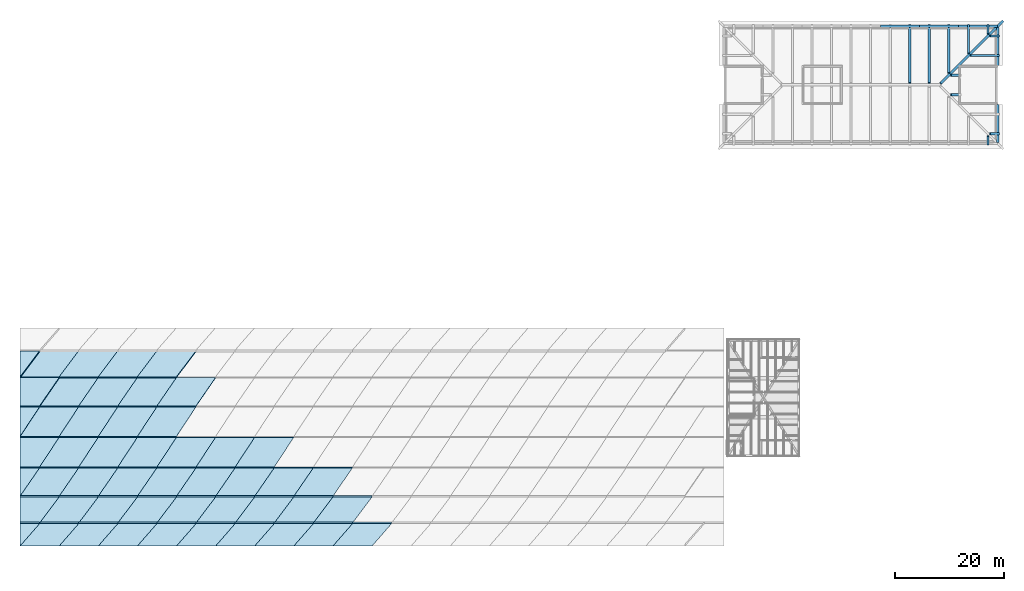
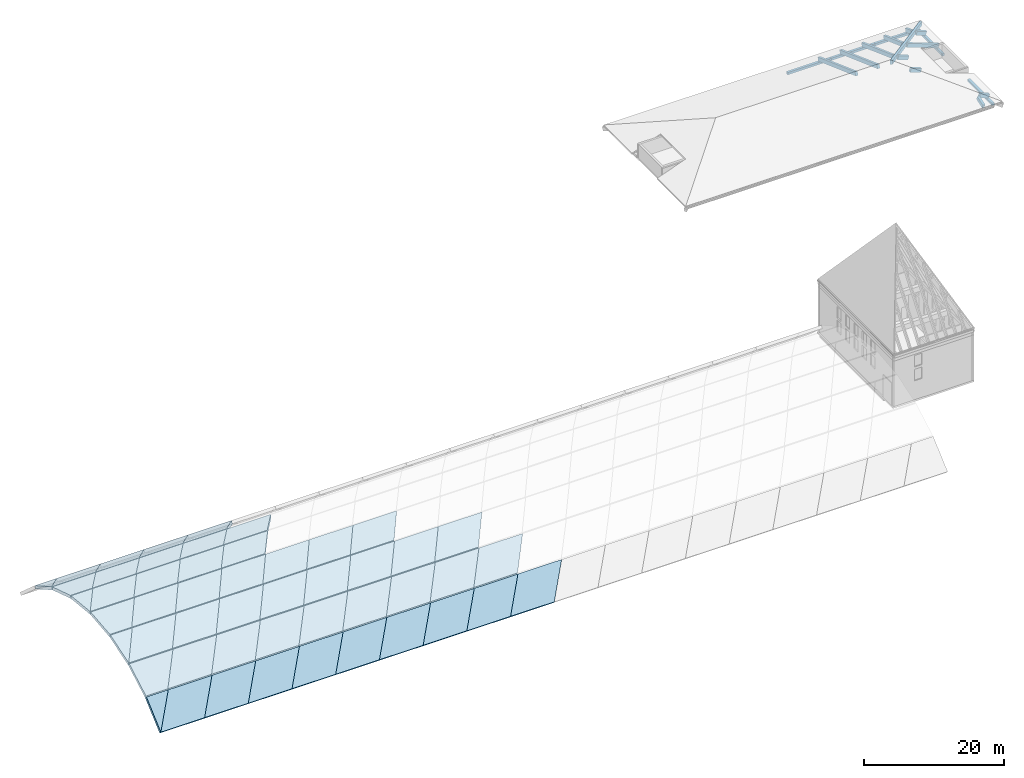
# One storey, part 2 of 8: 50 slabs, 17 beams.
"""IFC4 building model written with IfcOpenShell, lengths in metres."""

import ifcopenshell
import ifcopenshell.guid

model = None  # the IFC model being written
_history = None  # IfcOwnerHistory: only IFC2X3 demands one
_inside = {}  # id of a spatial element -> (the spatial element, [elements in it])
_under = {}  # id of a project, library or spatial element -> (it, [spatial elements below it])
_declared = {}  # id of a project -> (the project, [libraries it declares])
_typed = {}  # id of a type object -> (the type object, [elements of that type])
_made_of = {}  # id of a material, layer set ... -> (it, [elements and type objects made of it])


def new_model(schema):
    """Start an empty IFC model of exactly this schema.

    Asked for "IFC4X3", IfcOpenShell would pick the latest addendum, in which some entities
    have other attributes; the version numbers below select the first issue.
    IFC2X3 requires an IfcOwnerHistory on every rooted entity: one is made here for all.
    """
    global model, _history
    if schema == "IFC4X3":
        model = ifcopenshell.file(schema_version=(4, 3, 0, 0))
    else:
        model = ifcopenshell.file(schema=schema)
    _inside.clear()
    _under.clear()
    _declared.clear()
    _typed.clear()
    _made_of.clear()
    _history = None
    if model.schema == "IFC2X3":
        org = make("IfcOrganization", Name="unknown")
        user = make(
            "IfcPersonAndOrganization",
            ThePerson=make("IfcPerson", FamilyName="unknown"),
            TheOrganization=org,
        )
        app = make(
            "IfcApplication",
            ApplicationDeveloper=org,
            Version="unknown",
            ApplicationFullName="unknown",
            ApplicationIdentifier="unknown",
        )
        _history = make(
            "IfcOwnerHistory",
            OwningUser=user,
            OwningApplication=app,
            ChangeAction="ADDED",
            CreationDate=0,
        )
    return model


def make(cls, **values):
    """One entity of the class cls with the attributes given. An attribute that is None is left unset."""
    return model.create_entity(
        cls, **{name: value for name, value in values.items() if value is not None}
    )


def rooted(cls, **values):
    """An entity with a GlobalId (a new one), such as an element, a storey or a relation."""
    return make(cls, GlobalId=ifcopenshell.guid.new(), OwnerHistory=_history, **values)


def si_unit(unit_type, name, prefix=None):
    """IfcSIUnit, for example si_unit("LENGTHUNIT", "METRE", prefix="MILLI")."""
    return make("IfcSIUnit", UnitType=unit_type, Prefix=prefix, Name=name)


def assignment(units):
    """IfcUnitAssignment: the units of a project."""
    return None if units is None else make("IfcUnitAssignment", Units=units)


def point(xyz):
    """IfcCartesianPoint."""
    return None if xyz is None else make("IfcCartesianPoint", Coordinates=xyz)


def direction(xyz):
    """IfcDirection."""
    return None if xyz is None else make("IfcDirection", DirectionRatios=xyz)


def frame(location, z_axis=None, x_axis=None):
    """IfcAxis2Placement3D, a coordinate frame: its origin and axes. An axis left out is left unset."""
    return make(
        "IfcAxis2Placement3D",
        Location=point(location),
        Axis=direction(z_axis),
        RefDirection=direction(x_axis),
    )


def frame_2d(location, x_axis=None):
    """IfcAxis2Placement2D, a coordinate frame in the plane: its origin and x axis."""
    return make(
        "IfcAxis2Placement2D", Location=point(location), RefDirection=direction(x_axis)
    )


def origin():
    """The frame at (0, 0, 0) with its axes left unset."""
    return frame((0.0, 0.0, 0.0))


def origin_2d():
    """The frame at (0, 0) in the plane with its x axis left unset."""
    return frame_2d((0.0, 0.0))


def place(relative_to, where):
    """IfcLocalPlacement: puts the frame where relative to a parent placement (None: the world)."""
    return make(
        "IfcLocalPlacement", PlacementRelTo=relative_to, RelativePlacement=where
    )


def context(
    kind, dimensions, precision=None, world=None, true_north=None, identifier=None
):
    """IfcGeometricRepresentationContext, for example the 3D "Model" context."""
    return make(
        "IfcGeometricRepresentationContext",
        ContextIdentifier=identifier,
        ContextType=kind,
        CoordinateSpaceDimension=dimensions,
        Precision=precision,
        WorldCoordinateSystem=world,
        TrueNorth=true_north,
    )


def subcontext(parent, identifier, kind, view, scale=None):
    """IfcGeometricRepresentationSubContext, for example "Body" below "Model"."""
    return make(
        "IfcGeometricRepresentationSubContext",
        ContextIdentifier=identifier,
        ContextType=kind,
        ParentContext=parent,
        TargetScale=scale,
        TargetView=view,
    )


def project(units=None, contexts=None):
    """IfcProject with its units and contexts."""
    return rooted(
        "IfcProject",
        Name="project",
        RepresentationContexts=contexts,
        UnitsInContext=assignment(units),
    )


def spatial(cls, under=None, at=None, **own):
    """A site, building, storey or space (cls), placed at a placement, below another one or the project."""
    s = rooted(cls, ObjectPlacement=at, **own)
    if under is not None:
        _under.setdefault(under.id(), (under, []))[1].append(s)
    return s


def polyline(points):
    """IfcPolyline through the points."""
    return make("IfcPolyline", Points=[point(p) for p in points])


def profile(cls, at=None, kind="AREA", **sizes):
    """A parametric profile (cls). Its sizes go by their IFC names, for example OverallWidth=200.0."""
    return make(cls, ProfileType=kind, Position=at, **sizes)


def rectangle(**sizes):
    """IfcRectangleProfileDef."""
    return profile("IfcRectangleProfileDef", **sizes)


def outline(outer, holes=None, kind="AREA"):
    """IfcArbitraryClosedProfileDef: a profile drawn as a closed curve; with holes, ...WithVoids."""
    if holes is None:
        return make("IfcArbitraryClosedProfileDef", ProfileType=kind, OuterCurve=outer)
    return make(
        "IfcArbitraryProfileDefWithVoids",
        ProfileType=kind,
        OuterCurve=outer,
        InnerCurves=holes,
    )


def extrude(swept, where, along, depth):
    """IfcExtrudedAreaSolid: the profile swept, set in the frame where, extruded along a direction by depth."""
    return make(
        "IfcExtrudedAreaSolid",
        SweptArea=swept,
        Position=where,
        ExtrudedDirection=direction(along),
        Depth=depth,
    )


def shape(context_of_items, identifier, shape_type, items):
    """IfcShapeRepresentation: the items that make up one representation, for example the "Body"."""
    return make(
        "IfcShapeRepresentation",
        ContextOfItems=context_of_items,
        RepresentationIdentifier=identifier,
        RepresentationType=shape_type,
        Items=items,
    )


def material(Name=None, Category=None):
    """IfcMaterial."""
    return make("IfcMaterial", Name=Name, Category=Category)


def layer(
    of_material, thickness, ventilated=None, Name=None, Category=None, Priority=None
):
    """IfcMaterialLayer: one layer of a wall or slab, of a material (None: an air gap)."""
    return make(
        "IfcMaterialLayer",
        Material=of_material,
        LayerThickness=thickness,
        IsVentilated=ventilated,
        Name=Name,
        Category=Category,
        Priority=Priority,
    )


def layer_set(layers, Name=None):
    """IfcMaterialLayerSet."""
    return make("IfcMaterialLayerSet", MaterialLayers=layers, LayerSetName=Name)


def material_profile(
    of_material, cross_section, Name=None, Category=None, Priority=None
):
    """IfcMaterialProfile: a cross section and its material."""
    return make(
        "IfcMaterialProfile",
        Name=Name,
        Material=of_material,
        Profile=cross_section,
        Priority=Priority,
        Category=Category,
    )


def profile_set(profiles, Name=None, composite=None):
    """IfcMaterialProfileSet."""
    return make(
        "IfcMaterialProfileSet",
        Name=Name,
        MaterialProfiles=profiles,
        CompositeProfile=composite,
    )


def made_of(thing, what):
    """Note that an element or type object is made of a material, layer set ...; save() writes the relation."""
    if what is not None:
        _made_of.setdefault(what.id(), (what, []))[1].append(thing)
    return thing


def type_object(cls, material=None, **own):
    """A type object (cls), such as IfcWallType, which elements share."""
    return made_of(rooted(cls, **own), material)


def element(
    cls,
    number,
    at=None,
    inside=None,
    cuts=None,
    type_object=None,
    material=None,
    context=None,
    identifier="Body",
    shape_type=None,
    held_by="IfcProductDefinitionShape",
    body=None,
    shapes=None,
    **own,
):
    """One element of the class cls, such as IfcWall. Its Tag is "e" and its number.

    at: its placement. inside: the storey or other place that contains it. cuts: it is an
    opening in that element (IfcRelVoidsElement). A single representation is given by context,
    identifier, shape_type and body (its items); several are given by shapes. held_by: the class
    of the entity that holds the representations. save() writes the other relations.
    """
    e = rooted(cls, Tag="e%d" % number, ObjectPlacement=at, **own)
    if body is not None:
        shapes = [shape(context, identifier, shape_type, body)]
    if shapes is not None:
        e.Representation = make(held_by, Representations=shapes)
    if inside is not None:
        _inside.setdefault(inside.id(), (inside, []))[1].append(e)
    if cuts is not None:
        rooted(
            "IfcRelVoidsElement", RelatingBuildingElement=cuts, RelatedOpeningElement=e
        )
    if type_object is not None:
        _typed.setdefault(type_object.id(), (type_object, []))[1].append(e)
    return made_of(e, material)


def aggregate(whole, parts):
    """IfcRelAggregates: a whole, such as a stair, and the parts it consists of."""
    return rooted("IfcRelAggregates", RelatingObject=whole, RelatedObjects=parts)


def save(model, path):
    """Write the relations noted so far, then the file.

    IfcRelAggregates (storeys below a building ...), IfcRelContainedInSpatialStructure (elements
    in a storey), IfcRelDefinesByType, IfcRelAssociatesMaterial and IfcRelDeclares: one each for
    every whole, place, type object, material and project.
    """
    for whole, parts in _under.values():
        aggregate(whole, parts)
    for where, things in _inside.values():
        rooted(
            "IfcRelContainedInSpatialStructure",
            RelatedElements=things,
            RelatingStructure=where,
        )
    for kind, things in _typed.values():
        rooted("IfcRelDefinesByType", RelatedObjects=things, RelatingType=kind)
    for what, things in _made_of.values():
        rooted("IfcRelAssociatesMaterial", RelatedObjects=things, RelatingMaterial=what)
    for by, libraries in _declared.values():
        rooted("IfcRelDeclares", RelatingContext=by, RelatedDefinitions=libraries)
    model.write(path)


model = new_model("IFC4")

# Units and contexts
model_context = context("Model", 3, precision=1e-05, world=origin(), true_north=direction((0.0, 1.0)))
body_context = subcontext(model_context, "Body", "Model", "MODEL_VIEW")
ifc_project = project(units=[si_unit("LENGTHUNIT", "METRE"), si_unit("AREAUNIT", "SQUARE_METRE"), si_unit("VOLUMEUNIT", "CUBIC_METRE"), si_unit("PLANEANGLEUNIT", "RADIAN"), si_unit("MASSUNIT", "GRAM", prefix="KILO")], contexts=[model_context])

# Site, building, storey
site_placement = place(None, origin())
site = spatial("IfcSite", under=ifc_project, at=site_placement, CompositionType="ELEMENT")
building_placement = place(site_placement, origin())
building = spatial("IfcBuilding", under=site, at=building_placement, Name="Vermilion Court Aquatics Centre", CompositionType="ELEMENT")
storey_placement = place(building_placement, frame((0.0, 0.0, 23.300048828125)))
storey = spatial("IfcBuildingStorey", under=building, at=storey_placement, Name="ROOF", CompositionType="ELEMENT", Elevation=23.300048828125)

# Beams
ifc_material_1 = material(Name="Concrete 5000 psi", Category="concrete")
ifc_material_profile_1 = material_profile(ifc_material_1, rectangle(XDim=0.39990234375, YDim=0.39990234375, at=origin_2d()), Name="RC 400x400")
ifc_profile_set_1 = profile_set([ifc_material_profile_1], Name="Concrete 5000 psi")
beam_type_1 = type_object("IfcBeamType", Name="Roof eaves ring beam RC 400x400", PredefinedType="BEAM", material=ifc_profile_set_1)
for number, where, z_axis, x_axis, name in (
    (1, (172.800048828125, 115.199951171875, 0.199951171875), (1.0, 0.0, 0.0), (0.0, 1.0, 0.0), "Roof eaves ring beam"),
    (2, (180.0, 115.199951171875, 0.199951171875), (1.0, 0.0, 0.0), (0.0, 1.0, 0.0), "Roof eaves ring beam"),
    (3, (187.199951171875, 115.199951171875, 0.199951171875), (1.0, 0.0, 0.0), (0.0, 1.0, 0.0), "Roof eaves ring beam"),
):
    element("IfcBeam", number, at=place(storey_placement, frame(where, z_axis=z_axis, x_axis=x_axis)), inside=storey, type_object=beam_type_1, Name=name, PredefinedType="BEAM", context=body_context, shape_type="SweptSolid", body=[
        extrude(rectangle(XDim=0.39990234375, YDim=0.39990234375, at=origin_2d()), origin(), (0.0, 0.0, 1.0), 7.199951171875),
    ])
for number, where, z_axis, x_axis, name in (
    (4, (194.39990234375, 93.800048828125, 0.199951171875), (0.0, 1.0, 0.0), (-1.0, 0.0, 0.0), "Roof eaves ring beam"),
    (5, (194.39990234375, 108.0, 0.199951171875), (0.0, 1.0, 0.0), (-1.0, 0.0, 0.0), "Roof eaves ring beam"),
):
    element("IfcBeam", number, at=place(storey_placement, frame(where, z_axis=z_axis, x_axis=x_axis)), inside=storey, type_object=beam_type_1, Name=name, PredefinedType="BEAM", context=body_context, shape_type="SweptSolid", body=[
        extrude(rectangle(XDim=0.39990234375, YDim=0.39990234375, at=origin_2d()), origin(), (0.0, 0.0, 1.0), 7.0),
    ])
ifc_material_2 = material(Name="Concrete 5000 psi", Category="concrete")
ifc_material_profile_2 = material_profile(ifc_material_2, rectangle(XDim=0.39990234375, YDim=0.64990234375, at=origin_2d()), Name="RC 400x650")
ifc_profile_set_2 = profile_set([ifc_material_profile_2], Name="Concrete 5000 psi")
beam_type_2 = type_object("IfcBeamType", Name="Roof north rafter RC 400x650", PredefinedType="BEAM", material=ifc_profile_set_2)
for number, where, z_axis, x_axis, name in (
    (6, (178.199951171875, 115.381103515625, 0.705322265625), (0.0, -0.939691444338, 0.342023375571), (1.0, 0.0, 0.0), "Roof north rafter"),
    (7, (181.800048828125, 115.381103515625, 0.705322265625), (0.0, -0.939691444338, 0.342023375571), (1.0, 0.0, 0.0), "Roof north rafter"),
):
    element("IfcBeam", number, at=place(storey_placement, frame(where, z_axis=z_axis, x_axis=x_axis)), inside=storey, type_object=beam_type_2, Name=name, PredefinedType="BEAM", context=body_context, shape_type="SweptSolid", body=[
        extrude(rectangle(XDim=0.39990234375, YDim=0.64990234375, at=origin_2d()), origin(), (0.0, 0.0, 1.0), 11.328125),
    ])
beam_1_placement = place(storey_placement, frame((185.39990234375, 115.381103515625, 0.705322265625), z_axis=(0.0, -0.939692760679, 0.342019758971), x_axis=(1.0, 0.0, 0.0)))
element("IfcBeam", 8, at=beam_1_placement, inside=storey, type_object=beam_type_2, Name="Roof north rafter", PredefinedType="BEAM", context=body_context, shape_type="SweptSolid", body=[
    extrude(rectangle(XDim=0.39990234375, YDim=0.64990234375, at=origin_2d()), origin(), (0.0, 0.0, 1.0), 9.35107421875),
])
beam_2_placement = place(storey_placement, frame((189.0, 115.381103515625, 0.705322265625), z_axis=(0.0, -0.939691364138, 0.342023595918), x_axis=(1.0, 0.0, 0.0)))
element("IfcBeam", 9, at=beam_2_placement, inside=storey, type_object=beam_type_2, Name="Roof north rafter", PredefinedType="BEAM", context=body_context, shape_type="SweptSolid", body=[
    extrude(rectangle(XDim=0.39990234375, YDim=0.64990234375, at=origin_2d()), origin(), (0.0, 0.0, 1.0), 5.52001953125),
])
beam_3_placement = place(storey_placement, frame((192.60009765625, 93.418701171875, 0.705322265625), z_axis=(0.0, 0.939717444246, 0.341951933726), x_axis=(-1.0, 0.0, 0.0)))
element("IfcBeam", 10, at=beam_3_placement, inside=storey, type_object=beam_type_2, Name="Roof north rafter", PredefinedType="BEAM", context=body_context, shape_type="SweptSolid", body=[
    extrude(rectangle(XDim=0.39990234375, YDim=0.64990234375, at=origin_2d()), origin(), (0.0, 0.0, 1.0), 1.689208984375),
])
beam_4_placement = place(storey_placement, frame((192.60009765625, 115.381103515625, 0.705322265625), z_axis=(0.0, -0.939700541046, 0.341998381805), x_axis=(1.0, 0.0, 0.0)))
element("IfcBeam", 11, at=beam_4_placement, inside=storey, type_object=beam_type_2, Name="Roof north rafter", PredefinedType="BEAM", context=body_context, shape_type="SweptSolid", body=[
    extrude(rectangle(XDim=0.39990234375, YDim=0.64990234375, at=origin_2d()), origin(), (0.0, 0.0, 1.0), 1.68896484375),
])
beam_5_placement = place(storey_placement, frame((194.581298828125, 95.39990234375, 0.705322265625), z_axis=(-0.939717444246, 0.0, 0.341951933726), x_axis=(0.0, -1.0, 0.0)))
element("IfcBeam", 12, at=beam_5_placement, inside=storey, type_object=beam_type_2, Name="Roof north rafter", PredefinedType="BEAM", context=body_context, shape_type="SweptSolid", body=[
    extrude(rectangle(XDim=0.39990234375, YDim=0.64990234375, at=origin_2d()), origin(), (0.0, 0.0, 1.0), 1.689208984375),
])
for number, where, z_axis, x_axis, name in (
    (13, (187.51123046875, 102.60009765625, 3.278564453125), (-0.939699774957, 0.0, 0.342000486763), (0.0, -1.0, 0.0), "Roof north rafter"),
    (14, (187.51123046875, 106.199951171875, 3.278564453125), (-0.939699774957, 0.0, 0.342000486763), (0.0, -1.0, 0.0), "Roof north rafter"),
):
    element("IfcBeam", number, at=place(storey_placement, frame(where, z_axis=z_axis, x_axis=x_axis)), inside=storey, type_object=beam_type_2, Name=name, PredefinedType="BEAM", context=body_context, shape_type="SweptSolid", body=[
        extrude(rectangle(XDim=0.39990234375, YDim=0.64990234375, at=origin_2d()), origin(), (0.0, 0.0, 1.0), 1.827392578125),
    ])
beam_6_placement = place(storey_placement, frame((194.581298828125, 109.800048828125, 0.705322265625), z_axis=(-0.939696537741, 0.0, 0.342009381388), x_axis=(0.0, -1.0, 0.0)))
element("IfcBeam", 15, at=beam_6_placement, inside=storey, type_object=beam_type_2, Name="Roof north rafter", PredefinedType="BEAM", context=body_context, shape_type="SweptSolid", body=[
    extrude(rectangle(XDim=0.39990234375, YDim=0.64990234375, at=origin_2d()), origin(), (0.0, 0.0, 1.0), 5.52001953125),
])
beam_7_placement = place(storey_placement, frame((194.581298828125, 113.39990234375, 0.705322265625), z_axis=(-0.939717444246, 0.0, 0.341951933726), x_axis=(0.0, -1.0, 0.0)))
element("IfcBeam", 16, at=beam_7_placement, inside=storey, type_object=beam_type_2, Name="Roof north rafter", PredefinedType="BEAM", context=body_context, shape_type="SweptSolid", body=[
    extrude(rectangle(XDim=0.39990234375, YDim=0.64990234375, at=origin_2d()), origin(), (0.0, 0.0, 1.0), 1.689208984375),
])
beam_8_placement = place(storey_placement, frame((195.357421875, 116.1572265625, 0.41259765625), z_axis=(-0.684798728981, -0.684784159415, 0.24924156114), x_axis=(0.707099258974, -0.707114303319, 0.0)))
element("IfcBeam", 17, at=beam_8_placement, inside=storey, type_object=beam_type_2, Name="Roof north hip rafter", PredefinedType="BEAM", context=body_context, shape_type="SweptSolid", body=[
    extrude(rectangle(XDim=0.39990234375, YDim=0.64990234375, at=origin_2d()), origin(), (0.0, 0.0, 1.0), 16.7568359375),
])

# Slabs
ifc_material_3 = material(Name="Zinc standing seam sheet", Category="metal")
ifc_layer = layer(ifc_material_3, 0.5)
ifc_layer_set = layer_set([ifc_layer], Name="Roof insulated cover panel")
slab_type = type_object("IfcSlabType", Name="Roof insulated cover panel", PredefinedType="ROOF", material=ifc_layer_set)
slab_1_placement = place(storey_placement, frame((14.39990234375, 19.50439453125, -1.0869140625), z_axis=(0.0, -0.66200348449, 0.749500758187), x_axis=(0.547891107597, 0.626994604686, 0.553798790095)))
element("IfcSlab", 18, at=slab_1_placement, inside=storey, type_object=slab_type, Name="Roof panel RP-02-00", PredefinedType="ROOF", context=body_context, shape_type="SweptSolid", body=[
    extrude(outline(polyline([(0.0, 0.0), (6.570826951432823, -4.440892098500626e-16), (4.59836545909196, 3.0116604715288218), (0.0, 0.0)])), origin(), (0.0, 0.0, -1.0), 0.5),
])
slab_2_placement = place(storey_placement, frame((14.39990234375, 19.50439453125, -1.0869140625), z_axis=(0.0, -0.66200348449, 0.749500758187), x_axis=(1.0, 0.0, 0.0)))
element("IfcSlab", 19, at=slab_2_placement, inside=storey, type_object=slab_type, Name="Roof panel RP-02-01", PredefinedType="ROOF", context=body_context, shape_type="SweptSolid", body=[
    extrude(outline(polyline([(0.0, 0.0), (7.2001953125, 0.0), (10.800048828125, 5.496823054377795), (3.60009765625, 5.496823054377795), (0.0, 0.0)])), origin(), (0.0, 0.0, -1.0), 0.5),
])
slab_3_placement = place(storey_placement, frame((21.60009765625, 19.50439453125, -1.0869140625), z_axis=(0.0, -0.66200348449, 0.749500758187), x_axis=(1.0, 0.0, 0.0)))
element("IfcSlab", 20, at=slab_3_placement, inside=storey, type_object=slab_type, Name="Roof panel RP-02-02", PredefinedType="ROOF", context=body_context, shape_type="SweptSolid", body=[
    extrude(outline(polyline([(0.0, 0.0), (7.199951171875, 0.0), (10.7998046875, 5.496823054377794), (3.599853515625, 5.496823054377794), (0.0, 0.0)])), origin(), (0.0, 0.0, -1.0), 0.5),
])
slab_4_placement = place(storey_placement, frame((28.800048828125, 19.50439453125, -1.0869140625), z_axis=(0.0, -0.66200348449, 0.749500758187), x_axis=(1.0, 0.0, 0.0)))
element("IfcSlab", 21, at=slab_4_placement, inside=storey, type_object=slab_type, Name="Roof panel RP-02-03", PredefinedType="ROOF", context=body_context, shape_type="SweptSolid", body=[
    extrude(outline(polyline([(0.0, 0.0), (7.199951171875, 0.0), (10.800048828125, 5.496823054377795), (3.599853515625, 5.496823054377795), (0.0, 0.0)])), origin(), (0.0, 0.0, -1.0), 0.5),
])
for number, where, z_axis, x_axis, name in (
    (22, (36.0, 19.50439453125, -1.0869140625), (0.0, -0.66200348449, 0.749500758187), (1.0, 0.0, 0.0), "Roof panel RP-02-04"),
    (23, (43.199951171875, 19.50439453125, -1.0869140625), (0.0, -0.66200348449, 0.749500758187), (1.0, 0.0, 0.0), "Roof panel RP-02-05"),
):
    element("IfcSlab", number, at=place(storey_placement, frame(where, z_axis=z_axis, x_axis=x_axis)), inside=storey, type_object=slab_type, Name=name, PredefinedType="ROOF", context=body_context, shape_type="SweptSolid", body=[
        extrude(outline(polyline([(0.0, 0.0), (7.199951171875, 0.0), (10.800048828125, 5.496823054377794), (3.60009765625, 5.496823054377794), (0.0, 0.0)])), origin(), (0.0, 0.0, -1.0), 0.5),
    ])
slab_5_placement = place(storey_placement, frame((50.39990234375, 19.50439453125, -1.0869140625), z_axis=(0.0, -0.66200348449, 0.749500758187), x_axis=(1.0, 0.0, 0.0)))
element("IfcSlab", 24, at=slab_5_placement, inside=storey, type_object=slab_type, Name="Roof panel RP-02-06", PredefinedType="ROOF", context=body_context, shape_type="SweptSolid", body=[
    extrude(outline(polyline([(0.0, 0.0), (7.2001953125, 0.0), (10.800048828125, 5.496823054377795), (3.60009765625, 5.496823054377795), (0.0, 0.0)])), origin(), (0.0, 0.0, -1.0), 0.5),
])
slab_6_placement = place(storey_placement, frame((57.60009765625, 19.50439453125, -1.0869140625), z_axis=(0.0, -0.66200348449, 0.749500758187), x_axis=(1.0, 0.0, 0.0)))
element("IfcSlab", 25, at=slab_6_placement, inside=storey, type_object=slab_type, Name="Roof panel RP-02-07", PredefinedType="ROOF", context=body_context, shape_type="SweptSolid", body=[
    extrude(outline(polyline([(0.0, 0.0), (7.199951171875, 0.0), (10.7998046875, 5.496823054377794), (3.599853515625, 5.496823054377794), (0.0, 0.0)])), origin(), (0.0, 0.0, -1.0), 0.5),
])
slab_7_placement = place(storey_placement, frame((64.800048828125, 19.50439453125, -1.0869140625), z_axis=(0.0, -0.66200348449, 0.749500758187), x_axis=(1.0, 0.0, 0.0)))
element("IfcSlab", 26, at=slab_7_placement, inside=storey, type_object=slab_type, Name="Roof panel RP-02-08", PredefinedType="ROOF", context=body_context, shape_type="SweptSolid", body=[
    extrude(outline(polyline([(0.0, 0.0), (7.199951171875, 0.0), (10.800048828125, 5.496823054377795), (3.599853515625, 5.496823054377795), (0.0, 0.0)])), origin(), (0.0, 0.0, -1.0), 0.5),
])
slab_8_placement = place(storey_placement, frame((72.0, 19.50439453125, -1.0869140625), z_axis=(0.0, -0.66200348449, 0.749500758187), x_axis=(1.0, 0.0, 0.0)))
element("IfcSlab", 27, at=slab_8_placement, inside=storey, type_object=slab_type, Name="Roof panel RP-02-09", PredefinedType="ROOF", context=body_context, shape_type="SweptSolid", body=[
    extrude(outline(polyline([(0.0, 0.0), (7.199951171875, 0.0), (10.800048828125, 5.496823054377794), (3.60009765625, 5.496823054377794), (0.0, 0.0)])), origin(), (0.0, 0.0, -1.0), 0.5),
])
slab_9_placement = place(storey_placement, frame((14.39990234375, 23.750244140625, 2.641845703125), z_axis=(0.0, -0.494047556018, 0.869434881054), x_axis=(1.0, 0.0, 0.0)))
element("IfcSlab", 28, at=slab_9_placement, inside=storey, type_object=slab_type, Name="Roof panel RP-03-00", PredefinedType="ROOF", context=body_context, shape_type="SweptSolid", body=[
    extrude(outline(polyline([(0.0, 0.0), (3.60009765625, 0.0), (7.2001953125, 5.4975769438396265), (0.0, 5.4975769438396265), (0.0, 0.0)])), origin(), (0.0, 0.0, -1.0), 0.5),
])
for number, where, z_axis, x_axis, name in (
    (29, (18.0, 23.750244140625, 2.641845703125), (0.0, -0.494047556018, 0.869434881054), (1.0, 0.0, 0.0), "Roof panel RP-03-01"),
    (30, (25.199951171875, 23.750244140625, 2.641845703125), (0.0, -0.494047556018, 0.869434881054), (1.0, 0.0, 0.0), "Roof panel RP-03-02"),
):
    element("IfcSlab", number, at=place(storey_placement, frame(where, z_axis=z_axis, x_axis=x_axis)), inside=storey, type_object=slab_type, Name=name, PredefinedType="ROOF", context=body_context, shape_type="SweptSolid", body=[
        extrude(outline(polyline([(0.0, 0.0), (7.199951171875, 0.0), (10.800048828125, 5.4975769438396265), (3.60009765625, 5.4975769438396265), (0.0, 0.0)])), origin(), (0.0, 0.0, -1.0), 0.5),
    ])
slab_10_placement = place(storey_placement, frame((32.39990234375, 23.750244140625, 2.641845703125), z_axis=(0.0, -0.494047556018, 0.869434881054), x_axis=(1.0, 0.0, 0.0)))
element("IfcSlab", 31, at=slab_10_placement, inside=storey, type_object=slab_type, Name="Roof panel RP-03-03", PredefinedType="ROOF", context=body_context, shape_type="SweptSolid", body=[
    extrude(outline(polyline([(0.0, 0.0), (7.2001953125, 0.0), (10.800048828125, 5.4975769438396265), (3.60009765625, 5.4975769438396265), (0.0, 0.0)])), origin(), (0.0, 0.0, -1.0), 0.5),
])
slab_11_placement = place(storey_placement, frame((39.60009765625, 23.750244140625, 2.641845703125), z_axis=(0.0, -0.494047556018, 0.869434881054), x_axis=(1.0, 0.0, 0.0)))
element("IfcSlab", 32, at=slab_11_placement, inside=storey, type_object=slab_type, Name="Roof panel RP-03-04", PredefinedType="ROOF", context=body_context, shape_type="SweptSolid", body=[
    extrude(outline(polyline([(0.0, 0.0), (7.199951171875, 0.0), (10.7998046875, 5.4975769438396265), (3.599853515625, 5.4975769438396265), (0.0, 0.0)])), origin(), (0.0, 0.0, -1.0), 0.5),
])
slab_12_placement = place(storey_placement, frame((46.800048828125, 23.750244140625, 2.641845703125), z_axis=(0.0, -0.494047556018, 0.869434881054), x_axis=(1.0, 0.0, 0.0)))
element("IfcSlab", 33, at=slab_12_placement, inside=storey, type_object=slab_type, Name="Roof panel RP-03-05", PredefinedType="ROOF", context=body_context, shape_type="SweptSolid", body=[
    extrude(outline(polyline([(0.0, 0.0), (7.199951171875, 0.0), (10.800048828125, 5.4975769438396265), (3.599853515625, 5.4975769438396265), (0.0, 0.0)])), origin(), (0.0, 0.0, -1.0), 0.5),
])
for number, where, z_axis, x_axis, name in (
    (34, (54.0, 23.750244140625, 2.641845703125), (0.0, -0.494047556018, 0.869434881054), (1.0, 0.0, 0.0), "Roof panel RP-03-06"),
    (35, (61.199951171875, 23.750244140625, 2.641845703125), (0.0, -0.494047556018, 0.869434881054), (1.0, 0.0, 0.0), "Roof panel RP-03-07"),
):
    element("IfcSlab", number, at=place(storey_placement, frame(where, z_axis=z_axis, x_axis=x_axis)), inside=storey, type_object=slab_type, Name=name, PredefinedType="ROOF", context=body_context, shape_type="SweptSolid", body=[
        extrude(outline(polyline([(0.0, 0.0), (7.199951171875, 0.0), (10.800048828125, 5.4975769438396265), (3.60009765625, 5.4975769438396265), (0.0, 0.0)])), origin(), (0.0, 0.0, -1.0), 0.5),
    ])
slab_13_placement = place(storey_placement, frame((68.39990234375, 23.750244140625, 2.641845703125), z_axis=(0.0, -0.494047556018, 0.869434881054), x_axis=(1.0, 0.0, 0.0)))
element("IfcSlab", 36, at=slab_13_placement, inside=storey, type_object=slab_type, Name="Roof panel RP-03-08", PredefinedType="ROOF", context=body_context, shape_type="SweptSolid", body=[
    extrude(outline(polyline([(0.0, 0.0), (7.2001953125, 0.0), (10.800048828125, 5.4975769438396265), (3.60009765625, 5.4975769438396265), (0.0, 0.0)])), origin(), (0.0, 0.0, -1.0), 0.5),
])
slab_14_placement = place(storey_placement, frame((14.39990234375, 28.671630859375, 5.419921875), z_axis=(0.0, -0.305016066417, 0.952347205187), x_axis=(0.548250451032, 0.796461492066, 0.255089267905)))
element("IfcSlab", 37, at=slab_14_placement, inside=storey, type_object=slab_type, Name="Roof panel RP-04-00", PredefinedType="ROOF", context=body_context, shape_type="SweptSolid", body=[
    extrude(outline(polyline([(0.0, 0.0), (6.566520190682898, -5.551115123125783e-16), (4.592765026886032, 3.0108127952302106), (0.0, 0.0)])), origin(), (0.0, 0.0, -1.0), 0.5),
])
slab_15_placement = place(storey_placement, frame((14.39990234375, 28.671630859375, 5.419921875), z_axis=(0.0, -0.305016066417, 0.952347205187), x_axis=(1.0, 0.0, 0.0)))
element("IfcSlab", 38, at=slab_15_placement, inside=storey, type_object=slab_type, Name="Roof panel RP-04-01", PredefinedType="ROOF", context=body_context, shape_type="SweptSolid", body=[
    extrude(outline(polyline([(0.0, 0.0), (7.2001953125, 0.0), (10.800048828125, 5.491674087207781), (3.60009765625, 5.491674087207781), (0.0, 0.0)])), origin(), (0.0, 0.0, -1.0), 0.5),
])
slab_16_placement = place(storey_placement, frame((21.60009765625, 28.671630859375, 5.419921875), z_axis=(0.0, -0.305016066417, 0.952347205187), x_axis=(1.0, 0.0, 0.0)))
element("IfcSlab", 39, at=slab_16_placement, inside=storey, type_object=slab_type, Name="Roof panel RP-04-02", PredefinedType="ROOF", context=body_context, shape_type="SweptSolid", body=[
    extrude(outline(polyline([(0.0, 0.0), (7.199951171875, 0.0), (10.7998046875, 5.49167408720778), (3.599853515625, 5.49167408720778), (0.0, 0.0)])), origin(), (0.0, 0.0, -1.0), 0.5),
])
slab_17_placement = place(storey_placement, frame((28.800048828125, 28.671630859375, 5.419921875), z_axis=(0.0, -0.305016066417, 0.952347205187), x_axis=(1.0, 0.0, 0.0)))
element("IfcSlab", 40, at=slab_17_placement, inside=storey, type_object=slab_type, Name="Roof panel RP-04-03", PredefinedType="ROOF", context=body_context, shape_type="SweptSolid", body=[
    extrude(outline(polyline([(0.0, 0.0), (7.199951171875, 0.0), (10.800048828125, 5.491674087207781), (3.599853515625, 5.491674087207781), (0.0, 0.0)])), origin(), (0.0, 0.0, -1.0), 0.5),
])
for number, where, z_axis, x_axis, name in (
    (41, (36.0, 28.671630859375, 5.419921875), (0.0, -0.305016066417, 0.952347205187), (1.0, 0.0, 0.0), "Roof panel RP-04-04"),
    (42, (43.199951171875, 28.671630859375, 5.419921875), (0.0, -0.305016066417, 0.952347205187), (1.0, 0.0, 0.0), "Roof panel RP-04-05"),
):
    element("IfcSlab", number, at=place(storey_placement, frame(where, z_axis=z_axis, x_axis=x_axis)), inside=storey, type_object=slab_type, Name=name, PredefinedType="ROOF", context=body_context, shape_type="SweptSolid", body=[
        extrude(outline(polyline([(0.0, 0.0), (7.199951171875, 0.0), (10.800048828125, 5.49167408720778), (3.60009765625, 5.49167408720778), (0.0, 0.0)])), origin(), (0.0, 0.0, -1.0), 0.5),
    ])
slab_18_placement = place(storey_placement, frame((50.39990234375, 28.671630859375, 5.419921875), z_axis=(0.0, -0.305016066417, 0.952347205187), x_axis=(1.0, 0.0, 0.0)))
element("IfcSlab", 43, at=slab_18_placement, inside=storey, type_object=slab_type, Name="Roof panel RP-04-06", PredefinedType="ROOF", context=body_context, shape_type="SweptSolid", body=[
    extrude(outline(polyline([(0.0, 0.0), (7.2001953125, 0.0), (10.800048828125, 5.491674087207781), (3.60009765625, 5.491674087207781), (0.0, 0.0)])), origin(), (0.0, 0.0, -1.0), 0.5),
])
slab_19_placement = place(storey_placement, frame((57.60009765625, 28.671630859375, 5.419921875), z_axis=(0.0, -0.305016066417, 0.952347205187), x_axis=(1.0, 0.0, 0.0)))
element("IfcSlab", 44, at=slab_19_placement, inside=storey, type_object=slab_type, Name="Roof panel RP-04-07", PredefinedType="ROOF", context=body_context, shape_type="SweptSolid", body=[
    extrude(outline(polyline([(0.0, 0.0), (7.199951171875, 0.0), (10.7998046875, 5.49167408720778), (3.599853515625, 5.49167408720778), (0.0, 0.0)])), origin(), (0.0, 0.0, -1.0), 0.5),
])
slab_20_placement = place(storey_placement, frame((64.800048828125, 28.671630859375, 5.419921875), z_axis=(0.0, -0.305016066417, 0.952347205187), x_axis=(1.0, 0.0, 0.0)))
element("IfcSlab", 45, at=slab_20_placement, inside=storey, type_object=slab_type, Name="Roof panel RP-04-08", PredefinedType="ROOF", context=body_context, shape_type="SweptSolid", body=[
    extrude(outline(polyline([(0.0, 0.0), (7.199951171875, 0.0), (10.800048828125, 5.491674087207781), (3.599853515625, 5.491674087207781), (0.0, 0.0)])), origin(), (0.0, 0.0, -1.0), 0.5),
])
slab_21_placement = place(storey_placement, frame((14.39990234375, 34.052734375, 7.126708984375), z_axis=(0.0, -0.103261140612, 0.994654280059), x_axis=(1.0, 0.0, 0.0)))
element("IfcSlab", 46, at=slab_21_placement, inside=storey, type_object=slab_type, Name="Roof panel RP-05-00", PredefinedType="ROOF", context=body_context, shape_type="SweptSolid", body=[
    extrude(outline(polyline([(0.0, 0.0), (3.60009765625, 0.0), (7.2001953125, 5.499368788521336), (0.0, 5.499368788521336), (0.0, 0.0)])), origin(), (0.0, 0.0, -1.0), 0.5),
])
for number, where, z_axis, x_axis, name in (
    (47, (18.0, 34.052734375, 7.126708984375), (0.0, -0.103261140612, 0.994654280059), (1.0, 0.0, 0.0), "Roof panel RP-05-01"),
    (48, (25.199951171875, 34.052734375, 7.126708984375), (0.0, -0.103261140612, 0.994654280059), (1.0, 0.0, 0.0), "Roof panel RP-05-02"),
):
    element("IfcSlab", number, at=place(storey_placement, frame(where, z_axis=z_axis, x_axis=x_axis)), inside=storey, type_object=slab_type, Name=name, PredefinedType="ROOF", context=body_context, shape_type="SweptSolid", body=[
        extrude(outline(polyline([(0.0, 0.0), (7.199951171875, 0.0), (10.800048828125, 5.499368788521336), (3.60009765625, 5.499368788521336), (0.0, 0.0)])), origin(), (0.0, 0.0, -1.0), 0.5),
    ])
slab_22_placement = place(storey_placement, frame((32.39990234375, 34.052734375, 7.126708984375), z_axis=(0.0, -0.103261140612, 0.994654280059), x_axis=(1.0, 0.0, 0.0)))
element("IfcSlab", 49, at=slab_22_placement, inside=storey, type_object=slab_type, Name="Roof panel RP-05-03", PredefinedType="ROOF", context=body_context, shape_type="SweptSolid", body=[
    extrude(outline(polyline([(0.0, 0.0), (7.2001953125, 0.0), (10.800048828125, 5.499368788521336), (3.60009765625, 5.499368788521336), (0.0, 0.0)])), origin(), (0.0, 0.0, -1.0), 0.5),
])
slab_23_placement = place(storey_placement, frame((39.60009765625, 34.052734375, 7.126708984375), z_axis=(0.0, -0.103261140612, 0.994654280059), x_axis=(1.0, 0.0, 0.0)))
element("IfcSlab", 50, at=slab_23_placement, inside=storey, type_object=slab_type, Name="Roof panel RP-05-04", PredefinedType="ROOF", context=body_context, shape_type="SweptSolid", body=[
    extrude(outline(polyline([(0.0, 0.0), (7.199951171875, 0.0), (10.7998046875, 5.499368788521336), (3.599853515625, 5.499368788521336), (0.0, 0.0)])), origin(), (0.0, 0.0, -1.0), 0.5),
])
slab_24_placement = place(storey_placement, frame((46.800048828125, 34.052734375, 7.126708984375), z_axis=(0.0, -0.103261140612, 0.994654280059), x_axis=(1.0, 0.0, 0.0)))
element("IfcSlab", 51, at=slab_24_placement, inside=storey, type_object=slab_type, Name="Roof panel RP-05-05", PredefinedType="ROOF", context=body_context, shape_type="SweptSolid", body=[
    extrude(outline(polyline([(0.0, 0.0), (7.199951171875, 0.0), (10.800048828125, 5.499368788521336), (3.599853515625, 5.499368788521336), (0.0, 0.0)])), origin(), (0.0, 0.0, -1.0), 0.5),
])
slab_25_placement = place(storey_placement, frame((54.0, 34.052734375, 7.126708984375), z_axis=(0.0, -0.103261140612, 0.994654280059), x_axis=(1.0, 0.0, 0.0)))
element("IfcSlab", 52, at=slab_25_placement, inside=storey, type_object=slab_type, Name="Roof panel RP-05-06", PredefinedType="ROOF", context=body_context, shape_type="SweptSolid", body=[
    extrude(outline(polyline([(0.0, 0.0), (7.199951171875, 0.0), (10.800048828125, 5.499368788521336), (3.60009765625, 5.499368788521336), (0.0, 0.0)])), origin(), (0.0, 0.0, -1.0), 0.5),
])
slab_26_placement = place(storey_placement, frame((14.39990234375, 39.67724609375, 7.694580078125), z_axis=(0.0, 0.103261140612, 0.994654280059), x_axis=(0.547713578955, 0.832193322697, -0.08639507559)))
element("IfcSlab", 53, at=slab_26_placement, inside=storey, type_object=slab_type, Name="Roof panel RP-06-00", PredefinedType="ROOF", context=body_context, shape_type="SweptSolid", body=[
    extrude(outline(polyline([(0.0, 0.0), (6.572956732453012, 1.3183898417423734e-16), (4.601134360559832, 3.012078961155949), (0.0, 0.0)])), origin(), (0.0, 0.0, -1.0), 0.5),
])
slab_27_placement = place(storey_placement, frame((14.39990234375, 39.67724609375, 7.694580078125), z_axis=(0.0, 0.103261140612, 0.994654280059), x_axis=(1.0, 0.0, 0.0)))
element("IfcSlab", 54, at=slab_27_placement, inside=storey, type_object=slab_type, Name="Roof panel RP-06-01", PredefinedType="ROOF", context=body_context, shape_type="SweptSolid", body=[
    extrude(outline(polyline([(0.0, 0.0), (7.2001953125, 0.0), (10.800048828125, 5.499368788521336), (3.60009765625, 5.499368788521336), (0.0, 0.0)])), origin(), (0.0, 0.0, -1.0), 0.5),
])
slab_28_placement = place(storey_placement, frame((21.60009765625, 39.67724609375, 7.694580078125), z_axis=(0.0, 0.103261140612, 0.994654280059), x_axis=(1.0, 0.0, 0.0)))
element("IfcSlab", 55, at=slab_28_placement, inside=storey, type_object=slab_type, Name="Roof panel RP-06-02", PredefinedType="ROOF", context=body_context, shape_type="SweptSolid", body=[
    extrude(outline(polyline([(0.0, 0.0), (7.199951171875, 0.0), (10.7998046875, 5.499368788521336), (3.599853515625, 5.499368788521336), (0.0, 0.0)])), origin(), (0.0, 0.0, -1.0), 0.5),
])
slab_29_placement = place(storey_placement, frame((28.800048828125, 39.67724609375, 7.694580078125), z_axis=(0.0, 0.103261140612, 0.994654280059), x_axis=(1.0, 0.0, 0.0)))
element("IfcSlab", 56, at=slab_29_placement, inside=storey, type_object=slab_type, Name="Roof panel RP-06-03", PredefinedType="ROOF", context=body_context, shape_type="SweptSolid", body=[
    extrude(outline(polyline([(0.0, 0.0), (7.199951171875, 0.0), (10.800048828125, 5.499368788521336), (3.599853515625, 5.499368788521336), (0.0, 0.0)])), origin(), (0.0, 0.0, -1.0), 0.5),
])
slab_30_placement = place(storey_placement, frame((36.0, 39.67724609375, 7.694580078125), z_axis=(0.0, 0.103261140612, 0.994654280059), x_axis=(1.0, 0.0, 0.0)))
element("IfcSlab", 57, at=slab_30_placement, inside=storey, type_object=slab_type, Name="Roof panel RP-06-04", PredefinedType="ROOF", context=body_context, shape_type="SweptSolid", body=[
    extrude(outline(polyline([(0.0, 0.0), (7.199951171875, 0.0), (10.800048828125, 5.499368788521336), (3.60009765625, 5.499368788521336), (0.0, 0.0)])), origin(), (0.0, 0.0, -1.0), 0.5),
])
slab_31_placement = place(storey_placement, frame((14.39990234375, 45.29833984375, 7.094970703125), z_axis=(0.0, 0.305016066417, 0.952347205187), x_axis=(1.0, 0.0, 0.0)))
element("IfcSlab", 58, at=slab_31_placement, inside=storey, type_object=slab_type, Name="Roof panel RP-07-00", PredefinedType="ROOF", context=body_context, shape_type="SweptSolid", body=[
    extrude(outline(polyline([(0.0, 0.0), (3.60009765625, 0.0), (7.2001953125, 5.49167408720778), (0.0, 5.49167408720778), (0.0, 0.0)])), origin(), (0.0, 0.0, -1.0), 0.5),
])
for number, where, z_axis, x_axis, name in (
    (59, (18.0, 45.29833984375, 7.094970703125), (0.0, 0.305016066417, 0.952347205187), (1.0, 0.0, 0.0), "Roof panel RP-07-01"),
    (60, (25.199951171875, 45.29833984375, 7.094970703125), (0.0, 0.305016066417, 0.952347205187), (1.0, 0.0, 0.0), "Roof panel RP-07-02"),
):
    element("IfcSlab", number, at=place(storey_placement, frame(where, z_axis=z_axis, x_axis=x_axis)), inside=storey, type_object=slab_type, Name=name, PredefinedType="ROOF", context=body_context, shape_type="SweptSolid", body=[
        extrude(outline(polyline([(0.0, 0.0), (7.199951171875, 0.0), (10.800048828125, 5.49167408720778), (3.60009765625, 5.49167408720778), (0.0, 0.0)])), origin(), (0.0, 0.0, -1.0), 0.5),
    ])
slab_32_placement = place(storey_placement, frame((32.39990234375, 45.29833984375, 7.094970703125), z_axis=(0.0, 0.305016066417, 0.952347205187), x_axis=(1.0, 0.0, 0.0)))
element("IfcSlab", 61, at=slab_32_placement, inside=storey, type_object=slab_type, Name="Roof panel RP-07-03", PredefinedType="ROOF", context=body_context, shape_type="SweptSolid", body=[
    extrude(outline(polyline([(0.0, 0.0), (7.2001953125, 0.0), (10.800048828125, 5.491674087207781), (3.60009765625, 5.491674087207781), (0.0, 0.0)])), origin(), (0.0, 0.0, -1.0), 0.5),
])
slab_33_placement = place(storey_placement, frame((39.60009765625, 45.29833984375, 7.094970703125), z_axis=(0.0, 0.305016066417, 0.952347205187), x_axis=(1.0, 0.0, 0.0)))
element("IfcSlab", 62, at=slab_33_placement, inside=storey, type_object=slab_type, Name="Roof panel RP-07-04", PredefinedType="ROOF", context=body_context, shape_type="SweptSolid", body=[
    extrude(outline(polyline([(0.0, 0.0), (7.199951171875, 0.0), (10.7998046875, 5.49167408720778), (3.599853515625, 5.49167408720778), (0.0, 0.0)])), origin(), (0.0, 0.0, -1.0), 0.5),
])
slab_34_placement = place(storey_placement, frame((14.39990234375, 50.669921875, 5.35791015625), z_axis=(0.0, 0.494028481196, 0.869445719851), x_axis=(0.547823721413, 0.72737289038, -0.413301159685)))
element("IfcSlab", 63, at=slab_34_placement, inside=storey, type_object=slab_type, Name="Roof panel RP-08-00", PredefinedType="ROOF", context=body_context, shape_type="SweptSolid", body=[
    extrude(outline(polyline([(0.0, 0.0), (6.571635209523521, -3.3306690738754696e-16), (4.599416314026358, 3.011819344313449), (0.0, 0.0)])), origin(), (0.0, 0.0, -1.0), 0.5),
])
slab_35_placement = place(storey_placement, frame((14.39990234375, 50.669921875, 5.35791015625), z_axis=(0.0, 0.494028481196, 0.869445719851), x_axis=(1.0, 0.0, 0.0)))
element("IfcSlab", 64, at=slab_35_placement, inside=storey, type_object=slab_type, Name="Roof panel RP-08-01", PredefinedType="ROOF", context=body_context, shape_type="SweptSolid", body=[
    extrude(outline(polyline([(0.0, 0.0), (7.2001953125, 0.0), (10.800048828125, 5.497789209538004), (3.60009765625, 5.497789209538004), (0.0, 0.0)])), origin(), (0.0, 0.0, -1.0), 0.5),
])
slab_36_placement = place(storey_placement, frame((21.60009765625, 50.669921875, 5.35791015625), z_axis=(0.0, 0.494028481196, 0.869445719851), x_axis=(1.0, 0.0, 0.0)))
element("IfcSlab", 65, at=slab_36_placement, inside=storey, type_object=slab_type, Name="Roof panel RP-08-02", PredefinedType="ROOF", context=body_context, shape_type="SweptSolid", body=[
    extrude(outline(polyline([(0.0, 0.0), (7.199951171875, 0.0), (10.7998046875, 5.497789209538004), (3.599853515625, 5.497789209538004), (0.0, 0.0)])), origin(), (0.0, 0.0, -1.0), 0.5),
])
slab_37_placement = place(storey_placement, frame((28.800048828125, 50.669921875, 5.35791015625), z_axis=(0.0, 0.494028481196, 0.869445719851), x_axis=(1.0, 0.0, 0.0)))
element("IfcSlab", 66, at=slab_37_placement, inside=storey, type_object=slab_type, Name="Roof panel RP-08-03", PredefinedType="ROOF", context=body_context, shape_type="SweptSolid", body=[
    extrude(outline(polyline([(0.0, 0.0), (7.199951171875, 0.0), (10.800048828125, 5.497789209538004), (3.599853515625, 5.497789209538004), (0.0, 0.0)])), origin(), (0.0, 0.0, -1.0), 0.5),
])
slab_38_placement = place(storey_placement, frame((36.0, 50.669921875, 5.35791015625), z_axis=(0.0, 0.494028481196, 0.869445719851), x_axis=(1.0, 0.0, 0.0)))
element("IfcSlab", 67, at=slab_38_placement, inside=storey, type_object=slab_type, Name="Roof panel RP-08-04", PredefinedType="ROOF", context=body_context, shape_type="SweptSolid", body=[
    extrude(outline(polyline([(0.0, 0.0), (7.199951171875, 0.0), (10.800048828125, 5.497789209538004), (3.60009765625, 5.497789209538004), (0.0, 0.0)])), origin(), (0.0, 0.0, -1.0), 0.5),
])

save(model, "model.ifc")
